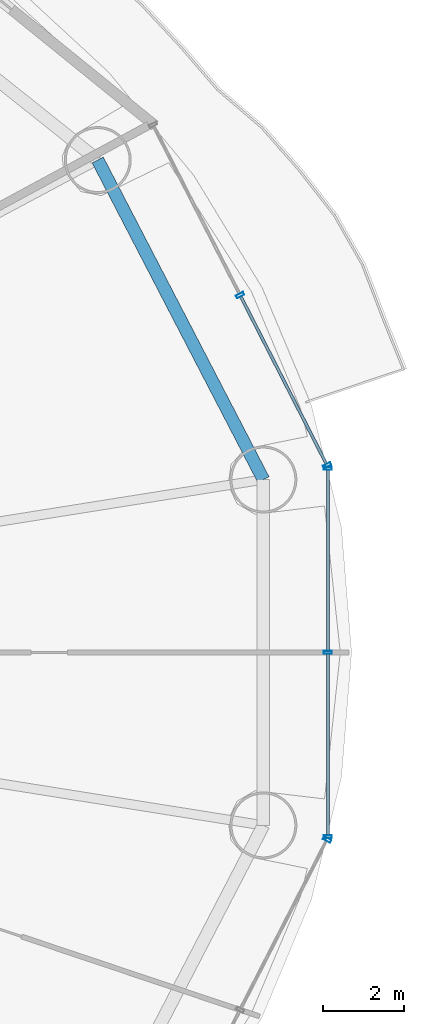
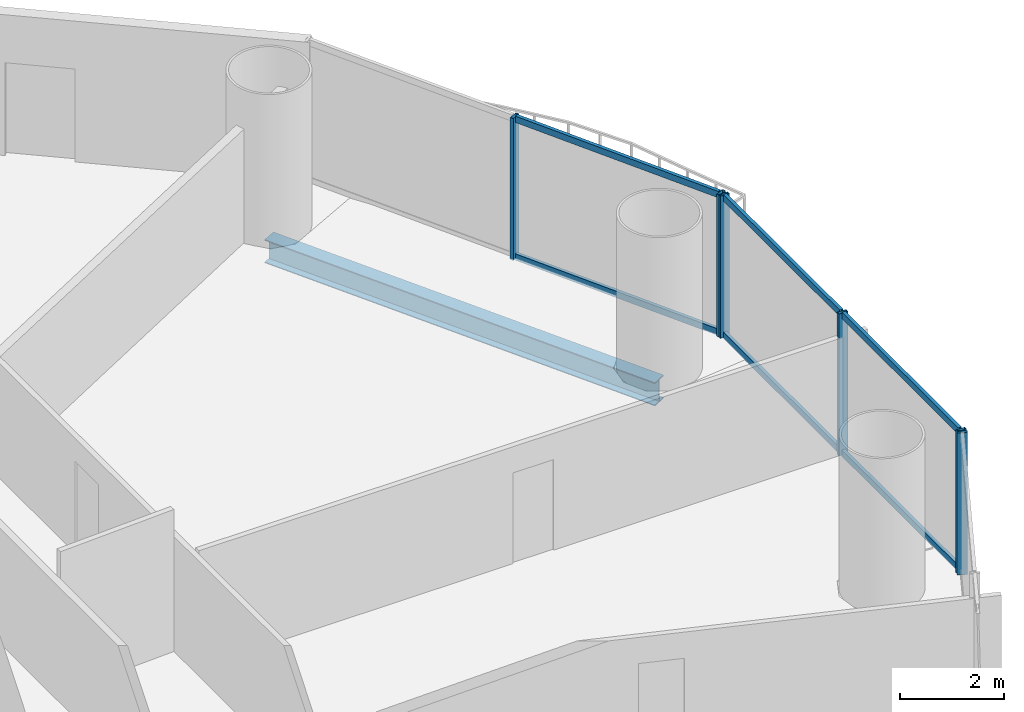
# One storey, part 15 of 30: 12 members, 1 beam, 3 elements without a shape of their own.
"""IFC4 building model written with IfcOpenShell, lengths in metres."""

from ifc_helpers import new_model, si_unit, direction, frame, origin, origin_2d, place, context, subcontext, project, spatial, hollow_rectangle, i_section, extrude, source, transform, mapped, material, material_profile, profile_set, type_object, element, aggregate, save


model = new_model("IFC4")

# Units and contexts
model_context = context("Model", 3, precision=1e-05, world=origin(), true_north=direction((-0.2419218956, 0.970295726276)))
body_context = subcontext(model_context, "Body", "Model", "MODEL_VIEW")
ifc_project = project(units=[si_unit("LENGTHUNIT", "METRE"), si_unit("AREAUNIT", "SQUARE_METRE"), si_unit("VOLUMEUNIT", "CUBIC_METRE"), si_unit("PLANEANGLEUNIT", "RADIAN"), si_unit("MASSUNIT", "GRAM", prefix="KILO")], contexts=[model_context])

# Site, building, storey
site_placement = place(None, origin())
site = spatial("IfcSite", under=ifc_project, at=site_placement, CompositionType="ELEMENT")
building_placement = place(site_placement, origin())
building = spatial("IfcBuilding", under=site, at=building_placement, Name="Cobrevalo Terracotta Tower", CompositionType="ELEMENT")
storey_placement = place(building_placement, frame((0.0, 0.0, 63.60009765625)))
storey = spatial("IfcBuildingStorey", under=building, at=storey_placement, Name="L16", CompositionType="ELEMENT", Elevation=63.60009765625)

# Beam
ifc_material_1 = material(Name="Steel S355", Category="steel")
ifc_material_profile_1 = material_profile(ifc_material_1, i_section(OverallWidth=0.31201171875, OverallDepth=0.54296875, WebThickness=0.0126953125, FlangeThickness=0.020263671875, at=origin_2d()), Name="W 530x150")
ifc_profile_set_1 = profile_set([ifc_material_profile_1], Name="Steel S355")
beam_type = type_object("IfcBeamType", Name="Structural Spandrel W 530x150 (Steel S355)", PredefinedType="SPANDREL", material=ifc_profile_set_1)
beam_placement = place(storey_placement, frame((64.824462890625, 31.062744140625, -0.551513671875), z_axis=(-0.460285838799, 0.88777077368, 0.0), x_axis=(-0.88777077368, -0.460285838799, 0.0)))
element("IfcBeam", 1, at=beam_placement, inside=storey, type_object=beam_type, Name="L16 perimeter ring spandrel 01", PredefinedType="SPANDREL", context=body_context, shape_type="SweptSolid", body=[
    extrude(i_section(OverallWidth=0.31201171875, OverallDepth=0.54296875, WebThickness=0.0126953125, FlangeThickness=0.020263671875, at=origin_2d()), origin(), (0.0, 0.0, 1.0), 8.8720703125),
])

# Curtain wall, members
ifc_material_2 = material(Name="Anodized aluminium", Category="aluminium")
curtain_wall_type = type_object("IfcCurtainWallType", Name="Lower-tower unitised acoustic low-E curtain wall CW-U1", PredefinedType="NOTDEFINED", material=ifc_material_2)
curtain_wall_1_placement = place(storey_placement, origin())
curtain_wall_1 = element("IfcCurtainWall", 2, at=curtain_wall_1_placement, inside=storey, type_object=curtain_wall_type, Name="L16 curtain wall CW-L16-S16", PredefinedType="NOTDEFINED")
ifc_material_profile_2 = material_profile(ifc_material_2, hollow_rectangle(XDim=0.074951171875, YDim=0.14990234375, WallThickness=0.00439453125, at=origin_2d()), Name="CWT 75x150")
ifc_profile_set_2 = profile_set([ifc_material_profile_2], Name="Anodized aluminium")
member_type_1 = type_object("IfcMemberType", Name="Tower unitised aluminium transom 75x150", PredefinedType="USERDEFINED", material=ifc_profile_set_2)
shared_shape_1 = source(origin(), body_context, "Body", "SweptSolid", [
    extrude(hollow_rectangle(XDim=0.074951171875, YDim=0.14990234375, WallThickness=0.00439453125, at=origin_2d()), origin(), (0.0, 0.0, 1.0), 4.458740234375),
])
member_1_placement = place(storey_placement, frame((66.413330078125, 22.30126953125, 0.0498046875), z_axis=(0.0, 1.0, 0.0), x_axis=(-1.0, 0.0, 0.0)))
member_1 = element("IfcMember", 3, at=member_1_placement, type_object=member_type_1, Name="CW-L16-S16 transom B01-T1", ObjectType="TRANSOM", PredefinedType="USERDEFINED", context=body_context, shape_type="MappedRepresentation", body=[
    mapped(shared_shape_1, transform((0.0, 0.0, 0.0), scale=1.0)),
])
member_2_placement = place(storey_placement, frame((66.413330078125, 22.30126953125, 3.27001953125), z_axis=(0.0, 1.0, 0.0), x_axis=(-1.0, 0.0, 0.0)))
member_2 = element("IfcMember", 4, at=member_2_placement, type_object=member_type_1, Name="CW-L16-S16 transom B01-T2", ObjectType="TRANSOM", PredefinedType="USERDEFINED", context=body_context, shape_type="MappedRepresentation", body=[
    mapped(shared_shape_1, transform((0.0, 0.0, 0.0), scale=1.0)),
])
member_3_placement = place(storey_placement, frame((66.413330078125, 26.840087890625, 0.0498046875), z_axis=(0.0, 1.0, 0.0), x_axis=(-1.0, 0.0, 0.0)))
member_3 = element("IfcMember", 5, at=member_3_placement, type_object=member_type_1, Name="CW-L16-S16 transom B02-T1", ObjectType="TRANSOM", PredefinedType="USERDEFINED", context=body_context, shape_type="MappedRepresentation", body=[
    mapped(shared_shape_1, transform((0.0, 0.0, 0.0), scale=1.0)),
])
member_4_placement = place(storey_placement, frame((66.413330078125, 26.840087890625, 3.27001953125), z_axis=(0.0, 1.0, 0.0), x_axis=(-1.0, 0.0, 0.0)))
member_4 = element("IfcMember", 6, at=member_4_placement, type_object=member_type_1, Name="CW-L16-S16 transom B02-T2", ObjectType="TRANSOM", PredefinedType="USERDEFINED", context=body_context, shape_type="MappedRepresentation", body=[
    mapped(shared_shape_1, transform((0.0, 0.0, 0.0), scale=1.0)),
])

curtain_wall_2_placement = place(storey_placement, origin())
curtain_wall_2 = element("IfcCurtainWall", 7, at=curtain_wall_2_placement, inside=storey, type_object=curtain_wall_type, Name="L16 curtain wall CW-L16-S01", PredefinedType="NOTDEFINED")
ifc_material_profile_3 = material_profile(ifc_material_2, hollow_rectangle(XDim=0.074951171875, YDim=0.199951171875, WallThickness=0.0048828125, at=origin_2d()), Name="CWM 75x200")
ifc_profile_set_3 = profile_set([ifc_material_profile_3], Name="Anodized aluminium")
member_type_2 = type_object("IfcMemberType", Name="Lower/mid tower unitised mullion 75x200", PredefinedType="MULLION", material=ifc_profile_set_3)
shared_shape_2 = source(origin(), body_context, "Body", "SweptSolid", [
    extrude(hollow_rectangle(XDim=0.074951171875, YDim=0.199951171875, WallThickness=0.0048828125, at=origin_2d()), origin(), (0.0, 0.0, 1.0), 3.31982421875),
])
member_5_placement = place(storey_placement, frame((66.39501953125, 31.414306640625, 0.0), z_axis=(0.0, 0.0, 1.0), x_axis=(-0.455234136597, 0.890371765543, 0.0)))
member_5 = element("IfcMember", 8, at=member_5_placement, type_object=member_type_2, Name="CW-L16-S01 vertical mullion 01", PredefinedType="MULLION", context=body_context, shape_type="MappedRepresentation", body=[
    mapped(shared_shape_2, transform((0.0, 0.0, 0.0), scale=1.0)),
])
member_6_placement = place(storey_placement, frame((64.25048828125, 35.60888671875, 0.0), z_axis=(0.0, 0.0, 1.0), x_axis=(-0.455234136597, 0.890371765543, 0.0)))
member_6 = element("IfcMember", 9, at=member_6_placement, type_object=member_type_2, Name="CW-L16-S01 vertical mullion 02", PredefinedType="MULLION", context=body_context, shape_type="MappedRepresentation", body=[
    mapped(shared_shape_2, transform((0.0, 0.0, 0.0), scale=1.0)),
])

# Curtain wall, member
curtain_wall_3_placement = place(storey_placement, origin())
curtain_wall_3 = element("IfcCurtainWall", 10, at=curtain_wall_3_placement, inside=storey, type_object=curtain_wall_type, Name="L16 curtain wall CW-L16-S15", PredefinedType="NOTDEFINED")
member_7_placement = place(storey_placement, frame((66.39501953125, 22.185546875, 0.0), z_axis=(0.0, 0.0, 1.0), x_axis=(0.455234136597, 0.890371765543, 0.0)))
member_7 = element("IfcMember", 11, at=member_7_placement, type_object=member_type_2, Name="CW-L16-S15 vertical mullion 03", PredefinedType="MULLION", context=body_context, shape_type="MappedRepresentation", body=[
    mapped(shared_shape_2, transform((0.0, 0.0, 0.0), scale=1.0)),
])
aggregate(curtain_wall_3, [member_7])

# Member
member_8_placement = place(storey_placement, frame((66.413330078125, 22.26123046875, 0.0), z_axis=(0.0, 0.0, 1.0), x_axis=(0.0, 1.0, 0.0)))
member_8 = element("IfcMember", 12, at=member_8_placement, type_object=member_type_2, Name="CW-L16-S16 vertical mullion 01", PredefinedType="MULLION", context=body_context, shape_type="MappedRepresentation", body=[
    mapped(shared_shape_2, transform((0.0, 0.0, 0.0), scale=1.0)),
])

member_9_placement = place(storey_placement, frame((66.413330078125, 26.800048828125, 0.0), z_axis=(0.0, 0.0, 1.0), x_axis=(0.0, 1.0, 0.0)))
member_9 = element("IfcMember", 13, at=member_9_placement, type_object=member_type_2, Name="CW-L16-S16 vertical mullion 02", PredefinedType="MULLION", context=body_context, shape_type="MappedRepresentation", body=[
    mapped(shared_shape_2, transform((0.0, 0.0, 0.0), scale=1.0)),
])

member_10_placement = place(storey_placement, frame((66.413330078125, 31.3388671875, 0.0), z_axis=(0.0, 0.0, 1.0), x_axis=(0.0, 1.0, 0.0)))
member_10 = element("IfcMember", 14, at=member_10_placement, type_object=member_type_2, Name="CW-L16-S16 vertical mullion 03", PredefinedType="MULLION", context=body_context, shape_type="MappedRepresentation", body=[
    mapped(shared_shape_2, transform((0.0, 0.0, 0.0), scale=1.0)),
])

aggregate(curtain_wall_1, [member_8, member_9, member_10, member_1, member_2, member_3, member_4])

shared_shape_3 = source(origin(), body_context, "Body", "SweptSolid", [
    extrude(hollow_rectangle(XDim=0.074951171875, YDim=0.14990234375, WallThickness=0.00439453125, at=origin_2d()), origin(), (0.0, 0.0, 1.0), 4.631103515625),
])
member_11_placement = place(storey_placement, frame((66.376953125, 31.449951171875, 0.0498046875), z_axis=(-0.455208584993, 0.890384829245, 0.0), x_axis=(-0.890384829245, -0.455208584993, 0.0)))
member_11 = element("IfcMember", 15, at=member_11_placement, type_object=member_type_1, Name="CW-L16-S01 transom B01-T1", ObjectType="TRANSOM", PredefinedType="USERDEFINED", context=body_context, shape_type="MappedRepresentation", body=[
    mapped(shared_shape_3, transform((0.0, 0.0, 0.0), scale=1.0)),
])

member_12_placement = place(storey_placement, frame((66.376953125, 31.449951171875, 3.27001953125), z_axis=(-0.455208584993, 0.890384829245, 0.0), x_axis=(-0.890384829245, -0.455208584993, 0.0)))
member_12 = element("IfcMember", 16, at=member_12_placement, type_object=member_type_1, Name="CW-L16-S01 transom B01-T2", ObjectType="TRANSOM", PredefinedType="USERDEFINED", context=body_context, shape_type="MappedRepresentation", body=[
    mapped(shared_shape_3, transform((0.0, 0.0, 0.0), scale=1.0)),
])

aggregate(curtain_wall_2, [member_5, member_6, member_11, member_12])

save(model, "model.ifc")
